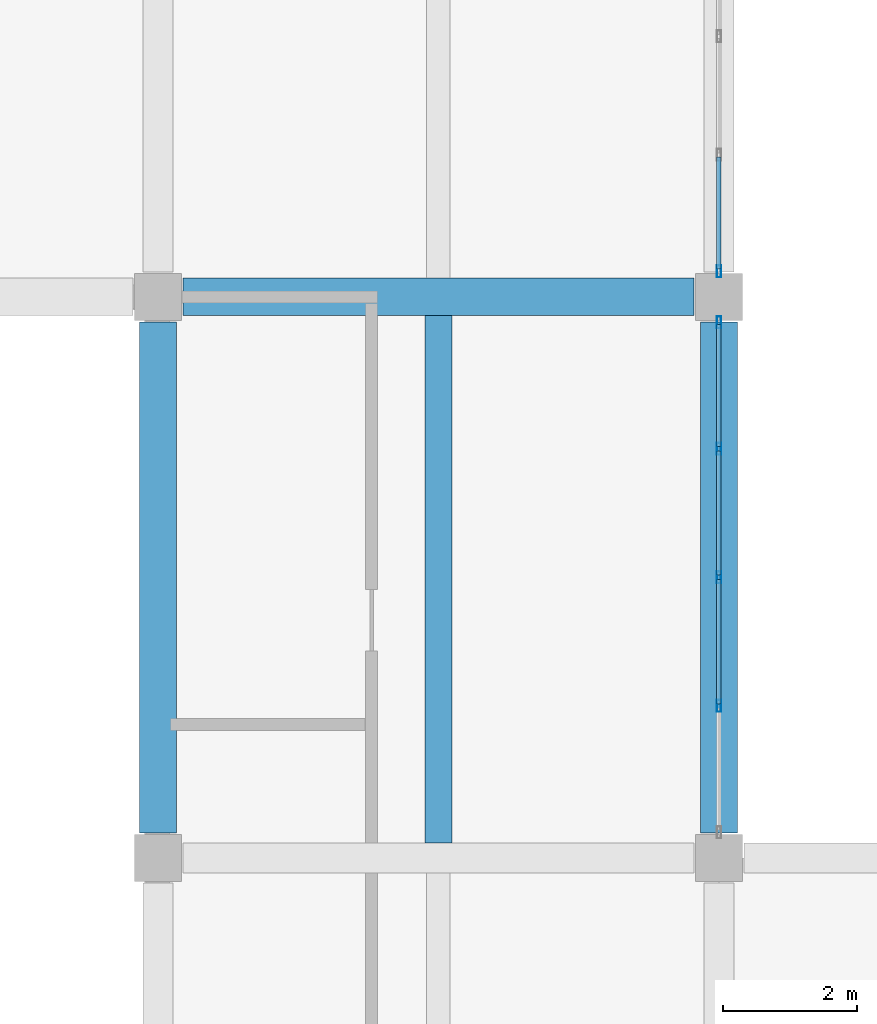
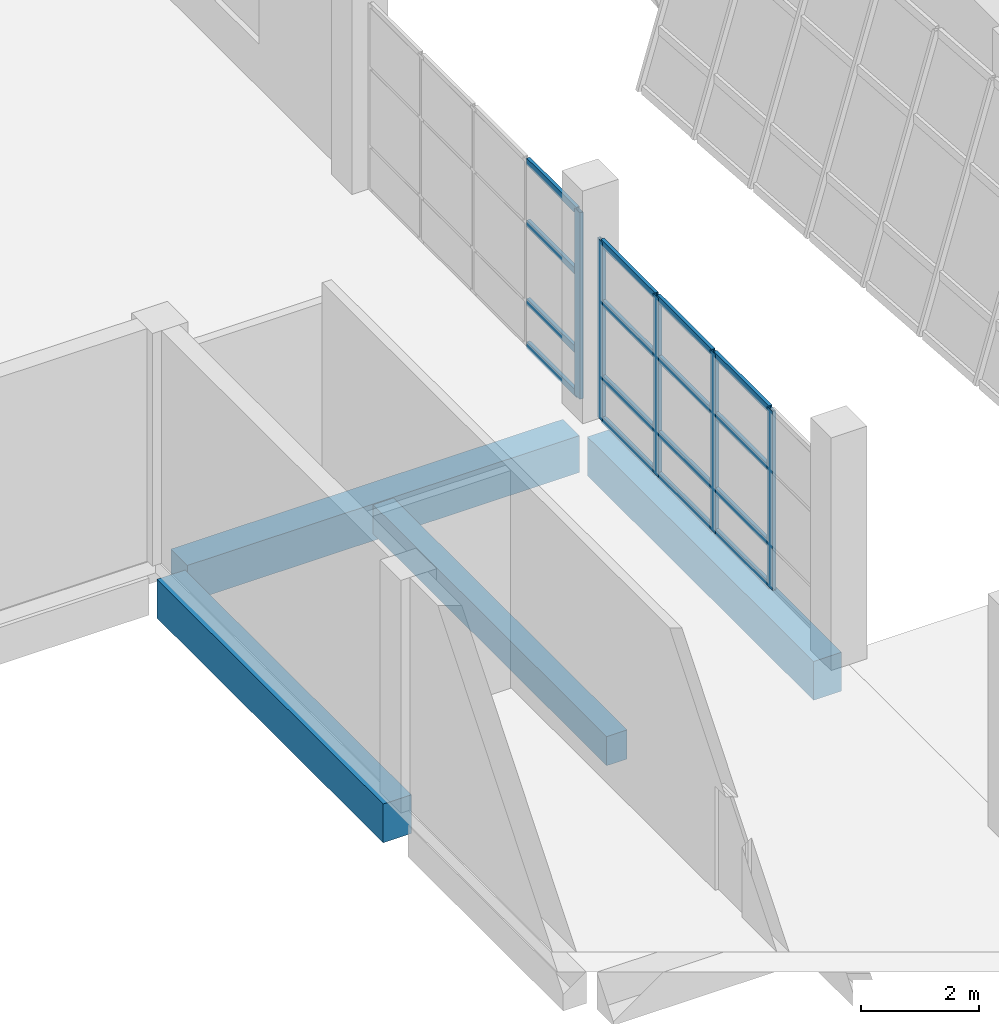
# One storey, part 26 of 91: 21 members, 4 beams, 2 elements without a shape of their own.
"""IFC4 building model written with IfcOpenShell, lengths in metres."""

from ifc_helpers import new_model, si_unit, direction, frame, origin, origin_2d, place, context, subcontext, project, spatial, rectangle, hollow_rectangle, extrude, material, material_profile, profile_set, type_object, element, aggregate, save


model = new_model("IFC4")

# Units and contexts
model_context = context("Model", 3, precision=1e-05, world=origin(), true_north=direction((0.0, 1.0)))
body_context = subcontext(model_context, "Body", "Model", "MODEL_VIEW")
ifc_project = project(units=[si_unit("LENGTHUNIT", "METRE"), si_unit("AREAUNIT", "SQUARE_METRE"), si_unit("VOLUMEUNIT", "CUBIC_METRE"), si_unit("PLANEANGLEUNIT", "RADIAN"), si_unit("MASSUNIT", "GRAM", prefix="KILO")], contexts=[model_context])

# Site, building, storey
site_placement = place(None, origin())
site = spatial("IfcSite", under=ifc_project, at=site_placement, CompositionType="ELEMENT")
building_placement = place(site_placement, origin())
building = spatial("IfcBuilding", under=site, at=building_placement, Name="Pellamere Symphony Hall", CompositionType="ELEMENT")
storey_placement = place(building_placement, frame((0.0, 0.0, 5.39990234375)))
storey = spatial("IfcBuildingStorey", under=building, at=storey_placement, Name="L01", CompositionType="ELEMENT", Elevation=5.39990234375)

# Curtain wall, members
ifc_material_1 = material(Name="Thermally Broken Anodised Aluminium 6063-T6 Curtain Wall", Category="aluminium")
curtain_wall_type = type_object("IfcCurtainWallType", Name="Curtain Wall CW-04 (Chamber Music Lobby Curtain Wall)", PredefinedType="NOTDEFINED", material=ifc_material_1)
curtain_wall_1_placement = place(storey_placement, origin())
curtain_wall_1 = element("IfcCurtainWall", 1, at=curtain_wall_1_placement, inside=storey, type_object=curtain_wall_type, Name="Chamber Forecourt East Curtain Wall (L01 Bay 2)", PredefinedType="NOTDEFINED")
ifc_material_2 = material(Name="Anodised Architectural Aluminium 6063-T6", Category="aluminium")
ifc_material_profile_1 = material_profile(ifc_material_2, hollow_rectangle(XDim=0.06494140625, YDim=0.179931640625, WallThickness=0.00390625, at=origin_2d()), Name="ALU-M65X180X4")
ifc_profile_set_1 = profile_set([ifc_material_profile_1], Name="Anodised Architectural Aluminium 6063-T6")
member_type_1 = type_object("IfcMemberType", Name="Curtain Wall Mullion ML-02 ALU-M65X180X4", PredefinedType="MULLION", material=ifc_profile_set_1)
member_1_placement = place(storey_placement, frame((42.0, 32.27490234375, 0.0), z_axis=(0.0, 0.0, 1.0), x_axis=(-1.0, 0.0, 0.0)))
member_1 = element("IfcMember", 2, at=member_1_placement, type_object=member_type_1, Name="CW4E-117 crystal mullion 2", PredefinedType="MULLION", context=body_context, shape_type="SweptSolid", body=[
    extrude(hollow_rectangle(XDim=0.06494140625, YDim=0.179931640625, WallThickness=0.00390625, at=origin_2d()), origin(), (0.0, 0.0, 1.0), 3.7001953125),
])
member_2_placement = place(storey_placement, frame((42.0, 34.199951171875, 0.0), z_axis=(0.0, 0.0, 1.0), x_axis=(-1.0, 0.0, 0.0)))
member_2 = element("IfcMember", 3, at=member_2_placement, type_object=member_type_1, Name="CW4E-117 crystal mullion 3", PredefinedType="MULLION", context=body_context, shape_type="SweptSolid", body=[
    extrude(hollow_rectangle(XDim=0.06494140625, YDim=0.179931640625, WallThickness=0.00390625, at=origin_2d()), origin(), (0.0, 0.0, 1.0), 3.7001953125),
])
member_3_placement = place(storey_placement, frame((42.0, 36.125, 0.0), z_axis=(0.0, 0.0, 1.0), x_axis=(-1.0, 0.0, 0.0)))
member_3 = element("IfcMember", 4, at=member_3_placement, type_object=member_type_1, Name="CW4E-117 crystal mullion 4", PredefinedType="MULLION", context=body_context, shape_type="SweptSolid", body=[
    extrude(hollow_rectangle(XDim=0.06494140625, YDim=0.179931640625, WallThickness=0.00390625, at=origin_2d()), origin(), (0.0, 0.0, 1.0), 3.7001953125),
])
member_4_placement = place(storey_placement, frame((42.0, 38.017578125, 0.0), z_axis=(0.0, 0.0, 1.0), x_axis=(-1.0, 0.0, 0.0)))
member_4 = element("IfcMember", 5, at=member_4_placement, type_object=member_type_1, Name="CW4E-117 crystal mullion 5", PredefinedType="MULLION", context=body_context, shape_type="SweptSolid", body=[
    extrude(hollow_rectangle(XDim=0.06494140625, YDim=0.179931640625, WallThickness=0.00390625, at=origin_2d()), origin(), (0.0, 0.0, 1.0), 3.7001953125),
])

# Curtain wall, member
curtain_wall_2_placement = place(storey_placement, origin())
curtain_wall_2 = element("IfcCurtainWall", 6, at=curtain_wall_2_placement, inside=storey, type_object=curtain_wall_type, Name="Chamber Forecourt East Curtain Wall (L01 Bay 3)", PredefinedType="NOTDEFINED")
member_5_placement = place(storey_placement, frame((42.0, 38.782470703125, 0.0), z_axis=(0.0, 0.0, 1.0), x_axis=(-1.0, 0.0, 0.0)))
member_5 = element("IfcMember", 7, at=member_5_placement, type_object=member_type_1, Name="CW4E-118 crystal mullion 1", PredefinedType="MULLION", context=body_context, shape_type="SweptSolid", body=[
    extrude(hollow_rectangle(XDim=0.06494140625, YDim=0.179931640625, WallThickness=0.00390625, at=origin_2d()), origin(), (0.0, 0.0, 1.0), 3.85009765625),
])

# Member
ifc_material_profile_2 = material_profile(ifc_material_2, hollow_rectangle(XDim=0.06494140625, YDim=0.139892578125, WallThickness=0.00390625, at=origin_2d()), Name="ALU-T65X140X4")
ifc_profile_set_2 = profile_set([ifc_material_profile_2], Name="Anodised Architectural Aluminium 6063-T6")
member_type_2 = type_object("IfcMemberType", Name="Curtain Wall Transom TR-02 ALU-T65X140X4", PredefinedType="USERDEFINED", material=ifc_profile_set_2)
member_6_placement = place(storey_placement, frame((42.0, 32.3076171875, 0.03271484375), z_axis=(0.0, 1.0, 0.0), x_axis=(-1.0, 0.0, 0.0)))
member_6 = element("IfcMember", 8, at=member_6_placement, type_object=member_type_2, Name="CW4E-117 crystal transom 2.1", ObjectType="TRANSOM", PredefinedType="USERDEFINED", context=body_context, shape_type="SweptSolid", body=[
    extrude(hollow_rectangle(XDim=0.06494140625, YDim=0.139892578125, WallThickness=0.00390625, at=origin_2d()), origin(), (0.0, 0.0, 1.0), 1.85986328125),
])

member_7_placement = place(storey_placement, frame((42.0, 32.3076171875, 0.88818359375), z_axis=(0.0, 1.0, 0.0), x_axis=(-1.0, 0.0, 0.0)))
member_7 = element("IfcMember", 9, at=member_7_placement, type_object=member_type_2, Name="CW4E-117 crystal transom 2.2", ObjectType="TRANSOM", PredefinedType="USERDEFINED", context=body_context, shape_type="SweptSolid", body=[
    extrude(hollow_rectangle(XDim=0.06494140625, YDim=0.139892578125, WallThickness=0.00390625, at=origin_2d()), origin(), (0.0, 0.0, 1.0), 1.85986328125),
])

member_8_placement = place(storey_placement, frame((42.0, 32.3076171875, 2.442138671875), z_axis=(0.0, 1.0, 0.0), x_axis=(-1.0, 0.0, 0.0)))
member_8 = element("IfcMember", 10, at=member_8_placement, type_object=member_type_2, Name="CW4E-117 crystal transom 2.3", ObjectType="TRANSOM", PredefinedType="USERDEFINED", context=body_context, shape_type="SweptSolid", body=[
    extrude(hollow_rectangle(XDim=0.06494140625, YDim=0.139892578125, WallThickness=0.00390625, at=origin_2d()), origin(), (0.0, 0.0, 1.0), 1.85986328125),
])

member_9_placement = place(storey_placement, frame((42.0, 32.3076171875, 3.66748046875), z_axis=(0.0, 1.0, 0.0), x_axis=(-1.0, 0.0, 0.0)))
member_9 = element("IfcMember", 11, at=member_9_placement, type_object=member_type_2, Name="CW4E-117 crystal transom 2.4", ObjectType="TRANSOM", PredefinedType="USERDEFINED", context=body_context, shape_type="SweptSolid", body=[
    extrude(hollow_rectangle(XDim=0.06494140625, YDim=0.139892578125, WallThickness=0.00390625, at=origin_2d()), origin(), (0.0, 0.0, 1.0), 1.85986328125),
])

member_10_placement = place(storey_placement, frame((42.0, 34.232421875, 0.03271484375), z_axis=(0.0, 1.0, 0.0), x_axis=(-1.0, 0.0, 0.0)))
member_10 = element("IfcMember", 12, at=member_10_placement, type_object=member_type_2, Name="CW4E-117 crystal transom 3.1", ObjectType="TRANSOM", PredefinedType="USERDEFINED", context=body_context, shape_type="SweptSolid", body=[
    extrude(hollow_rectangle(XDim=0.06494140625, YDim=0.139892578125, WallThickness=0.00390625, at=origin_2d()), origin(), (0.0, 0.0, 1.0), 1.860107421875),
])

member_11_placement = place(storey_placement, frame((42.0, 34.232421875, 0.88818359375), z_axis=(0.0, 1.0, 0.0), x_axis=(-1.0, 0.0, 0.0)))
member_11 = element("IfcMember", 13, at=member_11_placement, type_object=member_type_2, Name="CW4E-117 crystal transom 3.2", ObjectType="TRANSOM", PredefinedType="USERDEFINED", context=body_context, shape_type="SweptSolid", body=[
    extrude(hollow_rectangle(XDim=0.06494140625, YDim=0.139892578125, WallThickness=0.00390625, at=origin_2d()), origin(), (0.0, 0.0, 1.0), 1.860107421875),
])

member_12_placement = place(storey_placement, frame((42.0, 34.232421875, 2.442138671875), z_axis=(0.0, 1.0, 0.0), x_axis=(-1.0, 0.0, 0.0)))
member_12 = element("IfcMember", 14, at=member_12_placement, type_object=member_type_2, Name="CW4E-117 crystal transom 3.3", ObjectType="TRANSOM", PredefinedType="USERDEFINED", context=body_context, shape_type="SweptSolid", body=[
    extrude(hollow_rectangle(XDim=0.06494140625, YDim=0.139892578125, WallThickness=0.00390625, at=origin_2d()), origin(), (0.0, 0.0, 1.0), 1.860107421875),
])

member_13_placement = place(storey_placement, frame((42.0, 34.232421875, 3.66748046875), z_axis=(0.0, 1.0, 0.0), x_axis=(-1.0, 0.0, 0.0)))
member_13 = element("IfcMember", 15, at=member_13_placement, type_object=member_type_2, Name="CW4E-117 crystal transom 3.4", ObjectType="TRANSOM", PredefinedType="USERDEFINED", context=body_context, shape_type="SweptSolid", body=[
    extrude(hollow_rectangle(XDim=0.06494140625, YDim=0.139892578125, WallThickness=0.00390625, at=origin_2d()), origin(), (0.0, 0.0, 1.0), 1.860107421875),
])

member_14_placement = place(storey_placement, frame((42.0, 36.157470703125, 0.03271484375), z_axis=(0.0, 1.0, 0.0), x_axis=(-1.0, 0.0, 0.0)))
member_14 = element("IfcMember", 16, at=member_14_placement, type_object=member_type_2, Name="CW4E-117 crystal transom 4.1", ObjectType="TRANSOM", PredefinedType="USERDEFINED", context=body_context, shape_type="SweptSolid", body=[
    extrude(hollow_rectangle(XDim=0.06494140625, YDim=0.139892578125, WallThickness=0.00390625, at=origin_2d()), origin(), (0.0, 0.0, 1.0), 1.82763671875),
])

member_15_placement = place(storey_placement, frame((42.0, 36.157470703125, 0.88818359375), z_axis=(0.0, 1.0, 0.0), x_axis=(-1.0, 0.0, 0.0)))
member_15 = element("IfcMember", 17, at=member_15_placement, type_object=member_type_2, Name="CW4E-117 crystal transom 4.2", ObjectType="TRANSOM", PredefinedType="USERDEFINED", context=body_context, shape_type="SweptSolid", body=[
    extrude(hollow_rectangle(XDim=0.06494140625, YDim=0.139892578125, WallThickness=0.00390625, at=origin_2d()), origin(), (0.0, 0.0, 1.0), 1.82763671875),
])

member_16_placement = place(storey_placement, frame((42.0, 36.157470703125, 2.442138671875), z_axis=(0.0, 1.0, 0.0), x_axis=(-1.0, 0.0, 0.0)))
member_16 = element("IfcMember", 18, at=member_16_placement, type_object=member_type_2, Name="CW4E-117 crystal transom 4.3", ObjectType="TRANSOM", PredefinedType="USERDEFINED", context=body_context, shape_type="SweptSolid", body=[
    extrude(hollow_rectangle(XDim=0.06494140625, YDim=0.139892578125, WallThickness=0.00390625, at=origin_2d()), origin(), (0.0, 0.0, 1.0), 1.82763671875),
])

member_17_placement = place(storey_placement, frame((42.0, 36.157470703125, 3.66748046875), z_axis=(0.0, 1.0, 0.0), x_axis=(-1.0, 0.0, 0.0)))
member_17 = element("IfcMember", 19, at=member_17_placement, type_object=member_type_2, Name="CW4E-117 crystal transom 4.4", ObjectType="TRANSOM", PredefinedType="USERDEFINED", context=body_context, shape_type="SweptSolid", body=[
    extrude(hollow_rectangle(XDim=0.06494140625, YDim=0.139892578125, WallThickness=0.00390625, at=origin_2d()), origin(), (0.0, 0.0, 1.0), 1.82763671875),
])

aggregate(curtain_wall_1, [member_1, member_2, member_3, member_4, member_6, member_7, member_8, member_9, member_10, member_11, member_12, member_13, member_14, member_15, member_16, member_17])

member_18_placement = place(storey_placement, frame((42.0, 38.81494140625, 0.03271484375), z_axis=(0.0, 1.0, 0.0), x_axis=(-1.0, 0.0, 0.0)))
member_18 = element("IfcMember", 20, at=member_18_placement, type_object=member_type_2, Name="CW4E-118 crystal transom 1.1", ObjectType="TRANSOM", PredefinedType="USERDEFINED", context=body_context, shape_type="SweptSolid", body=[
    extrude(hollow_rectangle(XDim=0.06494140625, YDim=0.139892578125, WallThickness=0.00390625, at=origin_2d()), origin(), (0.0, 0.0, 1.0), 1.677490234375),
])

member_19_placement = place(storey_placement, frame((42.0, 38.81494140625, 0.924072265625), z_axis=(0.0, 1.0, 0.0), x_axis=(-1.0, 0.0, 0.0)))
member_19 = element("IfcMember", 21, at=member_19_placement, type_object=member_type_2, Name="CW4E-118 crystal transom 1.2", ObjectType="TRANSOM", PredefinedType="USERDEFINED", context=body_context, shape_type="SweptSolid", body=[
    extrude(hollow_rectangle(XDim=0.06494140625, YDim=0.139892578125, WallThickness=0.00390625, at=origin_2d()), origin(), (0.0, 0.0, 1.0), 1.677490234375),
])

member_20_placement = place(storey_placement, frame((42.0, 38.81494140625, 2.541015625), z_axis=(0.0, 1.0, 0.0), x_axis=(-1.0, 0.0, 0.0)))
member_20 = element("IfcMember", 22, at=member_20_placement, type_object=member_type_2, Name="CW4E-118 crystal transom 1.3", ObjectType="TRANSOM", PredefinedType="USERDEFINED", context=body_context, shape_type="SweptSolid", body=[
    extrude(hollow_rectangle(XDim=0.06494140625, YDim=0.139892578125, WallThickness=0.00390625, at=origin_2d()), origin(), (0.0, 0.0, 1.0), 1.677490234375),
])

member_21_placement = place(storey_placement, frame((42.0, 38.81494140625, 3.817626953125), z_axis=(0.0, 1.0, 0.0), x_axis=(-1.0, 0.0, 0.0)))
member_21 = element("IfcMember", 23, at=member_21_placement, type_object=member_type_2, Name="CW4E-118 crystal transom 1.4", ObjectType="TRANSOM", PredefinedType="USERDEFINED", context=body_context, shape_type="SweptSolid", body=[
    extrude(hollow_rectangle(XDim=0.06494140625, YDim=0.139892578125, WallThickness=0.00390625, at=origin_2d()), origin(), (0.0, 0.0, 1.0), 1.677490234375),
])

aggregate(curtain_wall_2, [member_5, member_18, member_19, member_20, member_21])

# Beams
ifc_material_3 = material(Name="Concrete 40 MPa", Category="concrete")
ifc_material_profile_3 = material_profile(ifc_material_3, rectangle(XDim=0.550048828125, YDim=0.800048828125, at=origin_2d()), Name="RC 550x800")
ifc_profile_set_3 = profile_set([ifc_material_profile_3], Name="Concrete 40 MPa")
beam_type_1 = type_object("IfcBeamType", Name="RC CB-05 550x800", PredefinedType="BEAM", material=ifc_profile_set_3)
for number, where, z_axis, x_axis, name in (
    (24, (33.60009765625, 30.375, -0.679931640625), (0.0, 1.0, 0.0), (-1.0, 0.0, 0.0), "Girder CB-05-Y0738 (L01)"),
    (25, (42.0, 30.375, -0.679931640625), (0.0, 1.0, 0.0), (-1.0, 0.0, 0.0), "Girder CB-05-Y0744 (L01)"),
):
    element("IfcBeam", number, at=place(storey_placement, frame(where, z_axis=z_axis, x_axis=x_axis)), inside=storey, type_object=beam_type_1, Name=name, PredefinedType="BEAM", context=body_context, shape_type="SweptSolid", body=[
        extrude(rectangle(XDim=0.550048828125, YDim=0.800048828125, at=origin_2d()), origin(), (0.0, 0.0, 1.0), 7.64990234375),
    ])
ifc_material_profile_4 = material_profile(ifc_material_3, rectangle(XDim=0.39990234375, YDim=0.60009765625, at=origin_2d()), Name="RC 400x600")
ifc_profile_set_4 = profile_set([ifc_material_profile_4], Name="Concrete 40 MPa")
beam_type_2 = type_object("IfcBeamType", Name="RC CB-09 400x600", PredefinedType="BEAM", material=ifc_profile_set_4)
beam_1_placement = place(storey_placement, frame((37.800048828125, 30.22509765625, -0.594970703125), z_axis=(0.0, 1.0, 0.0), x_axis=(-1.0, 0.0, 0.0)))
element("IfcBeam", 26, at=beam_1_placement, inside=storey, type_object=beam_type_2, Name="Secondary Floor Beam CB-09-M0404 (L01)", PredefinedType="BEAM", context=body_context, shape_type="SweptSolid", body=[
    extrude(rectangle(XDim=0.39990234375, YDim=0.60009765625, at=origin_2d()), origin(), (0.0, 0.0, 1.0), 7.89501953125),
])
ifc_material_profile_5 = material_profile(ifc_material_3, rectangle(XDim=0.56005859375, YDim=0.760009765625, at=origin_2d()), Name="RC 560x760")
ifc_profile_set_5 = profile_set([ifc_material_profile_5], Name="Concrete 40 MPa")
beam_type_3 = type_object("IfcBeamType", Name="RC CB-18 560x760", PredefinedType="BEAM", material=ifc_profile_set_5)
beam_2_placement = place(storey_placement, frame((33.97509765625, 38.39990234375, -0.659912109375), z_axis=(1.0, 0.0, 0.0), x_axis=(0.0, 1.0, 0.0)))
element("IfcBeam", 27, at=beam_2_placement, inside=storey, type_object=beam_type_3, Name="Girder CB-18-X0599 (L01)", PredefinedType="BEAM", context=body_context, shape_type="SweptSolid", body=[
    extrude(rectangle(XDim=0.56005859375, YDim=0.760009765625, at=origin_2d()), origin(), (0.0, 0.0, 1.0), 7.64990234375),
])

save(model, "model.ifc")
